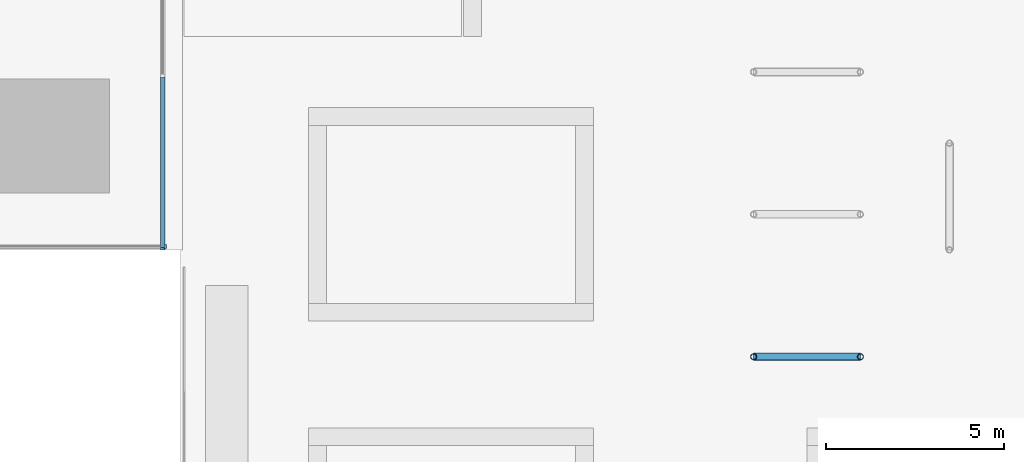
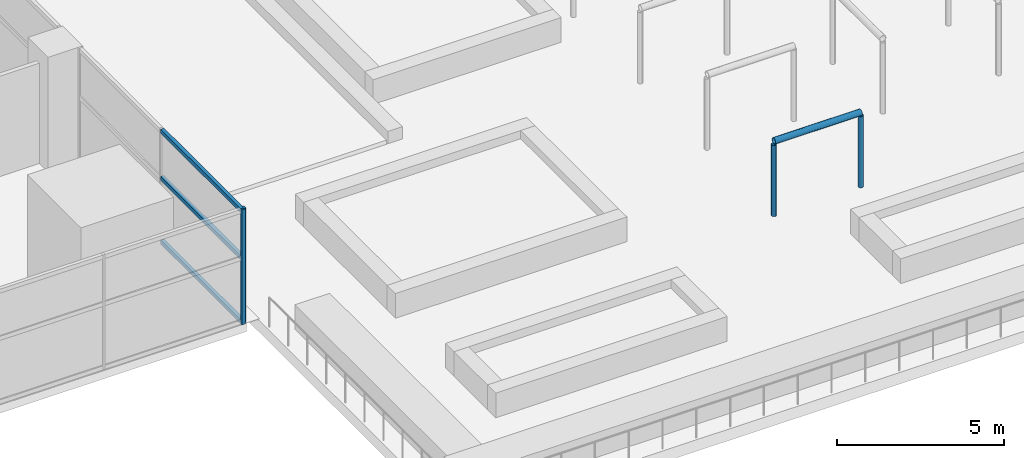
# One storey, part 6 of 34: 8 members, 2 elements without a shape of their own.
"""IFC4 building model written with IfcOpenShell, lengths in metres."""

from ifc_helpers import new_model, si_unit, direction, frame, origin, origin_2d, place, context, subcontext, project, spatial, rectangle, hollow_circle, extrude, material, material_profile, profile_set, type_object, element, aggregate, save


model = new_model("IFC4")

# Units and contexts
model_context = context("Model", 3, precision=1e-05, world=origin(), true_north=direction((0.0, 1.0)))
body_context = subcontext(model_context, "Body", "Model", "MODEL_VIEW")
ifc_project = project(units=[si_unit("LENGTHUNIT", "METRE"), si_unit("AREAUNIT", "SQUARE_METRE"), si_unit("VOLUMEUNIT", "CUBIC_METRE"), si_unit("PLANEANGLEUNIT", "RADIAN"), si_unit("MASSUNIT", "GRAM", prefix="KILO")], contexts=[model_context])

# Site, building, storey
site_placement = place(None, origin())
site = spatial("IfcSite", under=ifc_project, at=site_placement, CompositionType="ELEMENT")
building_placement = place(site_placement, origin())
building = spatial("IfcBuilding", under=site, at=building_placement, Name="Amberfall Residences", CompositionType="ELEMENT")
storey_placement = place(building_placement, frame((0.0, 0.0, 5.5)))
storey = spatial("IfcBuildingStorey", under=building, at=storey_placement, Name="L01", CompositionType="ELEMENT", Elevation=5.5)

# Curtain wall, member
ifc_material_1 = material(Name="Bronze anodised aluminium and glass", Category="aluminium")
curtain_wall_type = type_object("IfcCurtainWallType", Name="Curtain wall CW4 podium storefront", PredefinedType="USERDEFINED", material=ifc_material_1)
curtain_wall_1_placement = place(storey_placement, origin())
curtain_wall_1 = element("IfcCurtainWall", 1, at=curtain_wall_1_placement, inside=storey, type_object=curtain_wall_type, Name="Storefront L01 S7", ObjectType="UNITISED CURTAIN WALL", PredefinedType="USERDEFINED")
ifc_material_2 = material(Name="Bronze anodised aluminium", Category="aluminium")
ifc_material_profile_1 = material_profile(ifc_material_2, rectangle(XDim=0.1201171875, YDim=0.070068359375, at=origin_2d()), Name="CW4 mullion 70 x 120 bronze")
ifc_profile_set_1 = profile_set([ifc_material_profile_1], Name="Bronze anodised aluminium")
member_type_1 = type_object("IfcMemberType", Name="CW4 mullion 70 x 120 bronze", PredefinedType="MULLION", material=ifc_profile_set_1)
member_1_placement = place(storey_placement, frame((99.965087890625, 20.10009765625, 0.0), z_axis=(0.0, 0.0, 1.0), x_axis=(0.0, 1.0, 0.0)))
member_1 = element("IfcMember", 2, at=member_1_placement, type_object=member_type_1, Name="CW4 mullion 3", PredefinedType="MULLION", context=body_context, shape_type="SweptSolid", body=[
    extrude(rectangle(XDim=0.1201171875, YDim=0.070068359375, at=origin_2d()), origin(), (0.0, 0.0, 1.0), 4.199951171875),
])
aggregate(curtain_wall_1, [member_1])

# Curtain wall, members
curtain_wall_2_placement = place(storey_placement, origin())
curtain_wall_2 = element("IfcCurtainWall", 3, at=curtain_wall_2_placement, inside=storey, type_object=curtain_wall_type, Name="Storefront L01 E1", ObjectType="UNITISED CURTAIN WALL", PredefinedType="USERDEFINED")
member_2_placement = place(storey_placement, frame((99.89990234375, 20.034912109375, 0.0), z_axis=(0.0, 0.0, 1.0), x_axis=(-1.0, 0.0, 0.0)))
member_2 = element("IfcMember", 4, at=member_2_placement, type_object=member_type_1, Name="CW4 mullion 1", PredefinedType="MULLION", context=body_context, shape_type="SweptSolid", body=[
    extrude(rectangle(XDim=0.1201171875, YDim=0.070068359375, at=origin_2d()), origin(), (0.0, 0.0, 1.0), 4.199951171875),
])
ifc_material_profile_2 = material_profile(ifc_material_2, rectangle(XDim=0.1201171875, YDim=0.14990234375, at=origin_2d()), Name="CW4 transom 120 x 150 bronze")
ifc_profile_set_2 = profile_set([ifc_material_profile_2], Name="Bronze anodised aluminium")
member_type_2 = type_object("IfcMemberType", Name="CW4 transom 120 x 150 bronze", PredefinedType="USERDEFINED", material=ifc_profile_set_2)
member_3_placement = place(storey_placement, frame((99.89990234375, 20.070068359375, 0.074951171875), z_axis=(0.0, 1.0, 0.0), x_axis=(-1.0, 0.0, 0.0)))
member_3 = element("IfcMember", 5, at=member_3_placement, type_object=member_type_2, Name="CW4 transom 1.1", ObjectType="TRANSOM", PredefinedType="USERDEFINED", context=body_context, shape_type="SweptSolid", body=[
    extrude(rectangle(XDim=0.1201171875, YDim=0.14990234375, at=origin_2d()), origin(), (0.0, 0.0, 1.0), 4.794921875),
])
member_4_placement = place(storey_placement, frame((99.89990234375, 20.070068359375, 2.39990234375), z_axis=(0.0, 1.0, 0.0), x_axis=(-1.0, 0.0, 0.0)))
member_4 = element("IfcMember", 6, at=member_4_placement, type_object=member_type_2, Name="CW4 transom 1.2", ObjectType="TRANSOM", PredefinedType="USERDEFINED", context=body_context, shape_type="SweptSolid", body=[
    extrude(rectangle(XDim=0.1201171875, YDim=0.14990234375, at=origin_2d()), origin(), (0.0, 0.0, 1.0), 4.794921875),
])
member_5_placement = place(storey_placement, frame((99.89990234375, 20.070068359375, 4.125), z_axis=(0.0, 1.0, 0.0), x_axis=(-1.0, 0.0, 0.0)))
member_5 = element("IfcMember", 7, at=member_5_placement, type_object=member_type_2, Name="CW4 transom 1.3", ObjectType="TRANSOM", PredefinedType="USERDEFINED", context=body_context, shape_type="SweptSolid", body=[
    extrude(rectangle(XDim=0.1201171875, YDim=0.14990234375, at=origin_2d()), origin(), (0.0, 0.0, 1.0), 4.794921875),
])
aggregate(curtain_wall_2, [member_2, member_3, member_4, member_5])

# Members
ifc_material_3 = material(Name="Steel S355", Category="steel")
ifc_material_profile_3 = material_profile(ifc_material_3, hollow_circle(Radius=0.109619140625, WallThickness=0.010009765625, at=origin_2d()), Name="CHS 219.1x10")
ifc_profile_set_3 = profile_set([ifc_material_profile_3], Name="Steel S355")
member_type_3 = type_object("IfcMemberType", Name="Pergola beam CHS 219.1x10", PredefinedType="STRUT", material=ifc_profile_set_3)
member_6_placement = place(storey_placement, frame((116.5, 17.0, 2.70947265625), z_axis=(1.0, 0.0, 0.0), x_axis=(0.0, 1.0, 0.0)))
element("IfcMember", 8, at=member_6_placement, inside=storey, type_object=member_type_3, Name="Pergola beam A1", PredefinedType="STRUT", context=body_context, shape_type="SweptSolid", body=[
    extrude(hollow_circle(Radius=0.109619140625, WallThickness=0.010009765625, at=origin_2d()), origin(), (0.0, 0.0, 1.0), 3.0),
])
ifc_material_profile_4 = material_profile(ifc_material_3, hollow_circle(Radius=0.084228515625, WallThickness=0.008056640625, at=origin_2d()), Name="CHS 168.3x8")
ifc_profile_set_4 = profile_set([ifc_material_profile_4], Name="Steel S355")
member_type_4 = type_object("IfcMemberType", Name="Pergola post CHS 168.3x8", PredefinedType="POST", material=ifc_profile_set_4)
for number, where, z_axis, x_axis, name in (
    (9, (116.5, 17.0, 0.0), (0.0, 0.0, 1.0), (1.0, 0.0, 0.0), "Pergola post A1"),
    (10, (119.5, 17.0, 0.0), (0.0, 0.0, 1.0), (1.0, 0.0, 0.0), "Pergola post A1"),
):
    element("IfcMember", number, at=place(storey_placement, frame(where, z_axis=z_axis, x_axis=x_axis)), inside=storey, type_object=member_type_4, Name=name, PredefinedType="POST", context=body_context, shape_type="SweptSolid", body=[
        extrude(hollow_circle(Radius=0.084228515625, WallThickness=0.008056640625, at=origin_2d()), origin(), (0.0, 0.0, 1.0), 2.60009765625),
    ])

save(model, "model.ifc")
